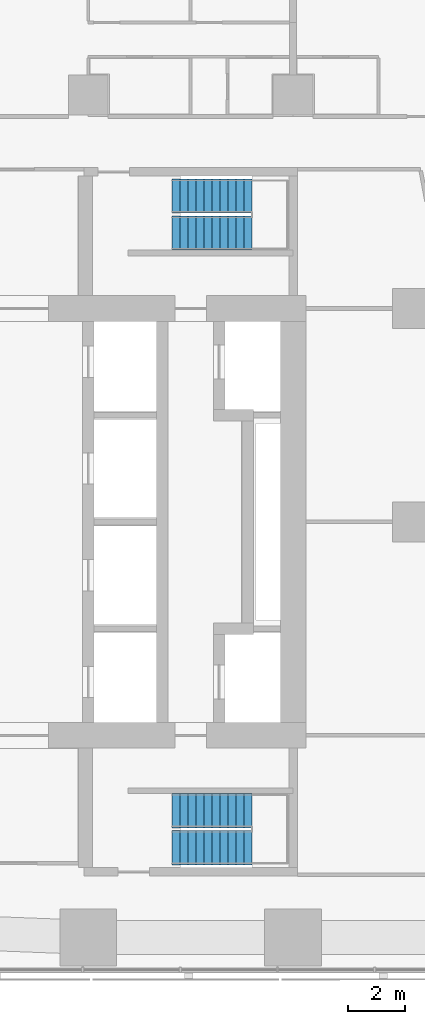
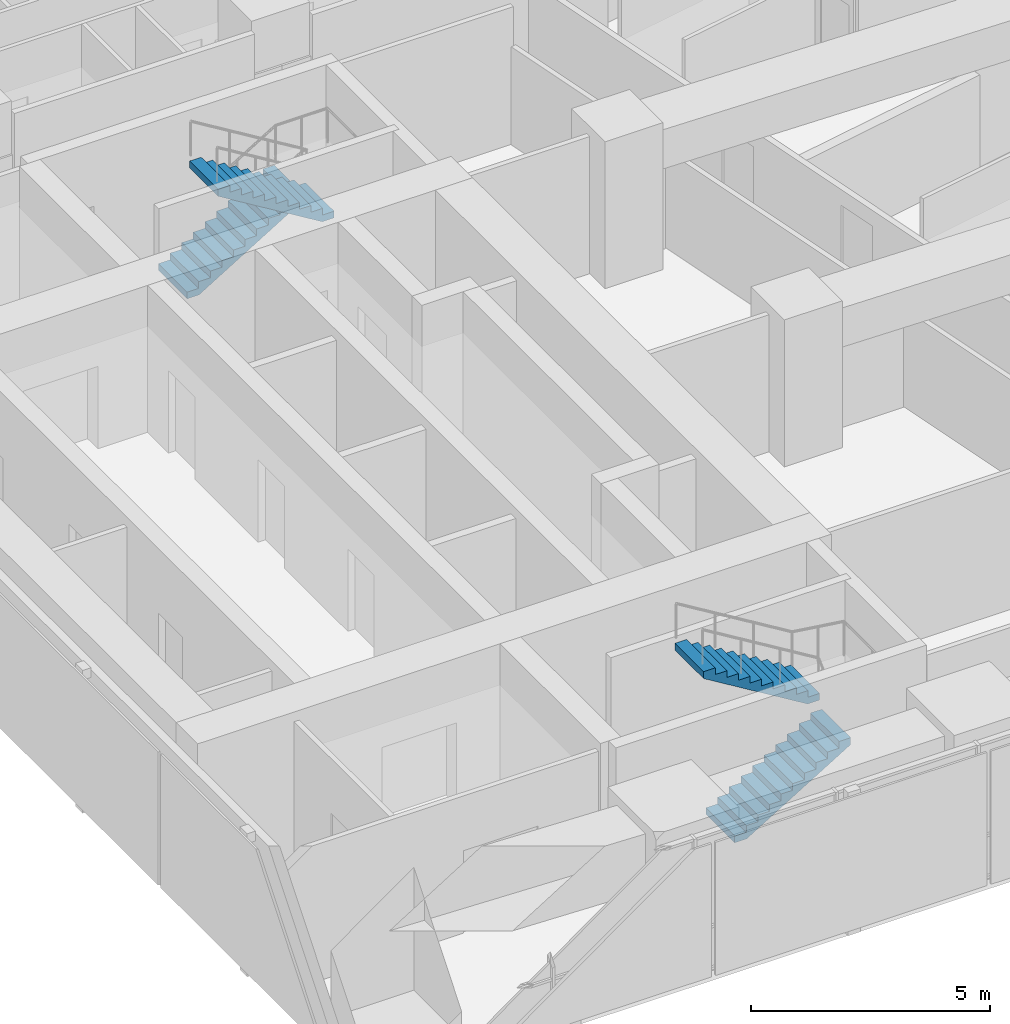
# One storey, part 10 of 11: 4 stair flights, 2 elements without a shape of their own.
"""IFC4 building model written with IfcOpenShell, lengths in metres."""

from ifc_helpers import new_model, si_unit, direction, frame, origin, place, context, subcontext, project, spatial, triangles, material, type_object, element, aggregate, save


model = new_model("IFC4")

# Units and contexts
model_context = context("Model", 3, precision=1e-05, world=origin(), true_north=direction((0.0, 1.0)))
body_context = subcontext(model_context, "Body", "Model", "MODEL_VIEW")
ifc_project = project(units=[si_unit("LENGTHUNIT", "METRE"), si_unit("AREAUNIT", "SQUARE_METRE"), si_unit("VOLUMEUNIT", "CUBIC_METRE"), si_unit("PLANEANGLEUNIT", "RADIAN"), si_unit("MASSUNIT", "GRAM", prefix="KILO")], contexts=[model_context])

# Site, building, storey
site_placement = place(None, origin())
site = spatial("IfcSite", under=ifc_project, at=site_placement, CompositionType="ELEMENT")
building_placement = place(site_placement, origin())
building = spatial("IfcBuilding", under=site, at=building_placement, Name="Sheger Commons Tower", CompositionType="ELEMENT")
storey_placement = place(building_placement, frame((0.0, 0.0, 281.60009765625)))
storey = spatial("IfcBuildingStorey", under=building, at=storey_placement, Name="L72", CompositionType="ELEMENT", Elevation=281.60009765625)

# Stair, stair flights
ifc_material_1 = material(Name="Concrete C35/45", Category="concrete")
stair_type = type_object("IfcStairType", Name="HALF-TURN STAIR 1200 RISE 3750", PredefinedType="HALF_TURN_STAIR", material=ifc_material_1)
stair_1_placement = place(storey_placement, origin())
stair_1 = element("IfcStair", 1, at=stair_1_placement, inside=storey, type_object=stair_type, Name="Stair S1 L72", PredefinedType="HALF_TURN_STAIR")
ifc_material_2 = material(Name="Concrete C35/45", Category="concrete")
stair_flight_type = type_object("IfcStairFlightType", Name="STAIR FLIGHT 1200 11 RISERS OF 170", PredefinedType="STRAIGHT", material=ifc_material_2)
stair_flight_1_placement = place(storey_placement, frame((24.550048828125, 11.050048828125, 0.0), z_axis=(0.0, 0.0, 1.0), x_axis=(1.0, 0.0, 0.0)))
stair_flight_1 = element("IfcStairFlight", 2, at=stair_flight_1_placement, type_object=stair_flight_type, Name="S1 flight 1", NumberOfRisers=11, NumberOfTreads=10, PredefinedType="STRAIGHT", RiserHeight=0.170454545, TreadLength=0.28, context=body_context, shape_type="Tessellation", body=[
    triangles([(0.0, 0.5999755859375, 0.0), (0.0, 0.5999755859375, 0.17041015625), (0.280029296875, 0.5999755859375, 0.17041015625), (0.280029296875, 0.5999755859375, 0.3408203125), (0.56005859375, 0.5999755859375, 0.3408203125), (0.56005859375, 0.5999755859375, 0.511474609375), (0.840087890625, 0.5999755859375, 0.511474609375), (0.840087890625, 0.5999755859375, 0.681884765625), (1.1201171875, 0.5999755859375, 0.681884765625), (1.1201171875, 0.5999755859375, 0.852294921875), (1.39990234375, 0.5999755859375, 0.852294921875), (1.39990234375, 0.5999755859375, 1.022705078125), (1.679931640625, 0.5999755859375, 1.022705078125), (1.679931640625, 0.5999755859375, 1.193115234375), (1.9599609375, 0.5999755859375, 1.193115234375), (1.9599609375, 0.5999755859375, 1.363525390625), (2.239990234375, 0.5999755859375, 1.363525390625), (2.239990234375, 0.5999755859375, 1.5341796875), (2.52001953125, 0.5999755859375, 1.5341796875), (2.52001953125, 0.5999755859375, 1.70458984375), (2.800048828125, 0.5999755859375, 1.70458984375), (2.800048828125, 0.5999755859375, 1.529052734375), (0.288330078125, 0.5999755859375, 0.0), (0.0, -0.5999755859375, 0.0), (0.0, -0.5999755859375, 0.17041015625), (0.280029296875, -0.5999755859375, 0.17041015625), (0.280029296875, -0.5999755859375, 0.3408203125), (0.56005859375, -0.5999755859375, 0.3408203125), (0.56005859375, -0.5999755859375, 0.511474609375), (0.840087890625, -0.5999755859375, 0.511474609375), (0.840087890625, -0.5999755859375, 0.681884765625), (1.1201171875, -0.5999755859375, 0.681884765625), (1.1201171875, -0.5999755859375, 0.852294921875), (1.39990234375, -0.5999755859375, 0.852294921875), (1.39990234375, -0.5999755859375, 1.022705078125), (1.679931640625, -0.5999755859375, 1.022705078125), (1.679931640625, -0.5999755859375, 1.193115234375), (1.9599609375, -0.5999755859375, 1.193115234375), (1.9599609375, -0.5999755859375, 1.363525390625), (2.239990234375, -0.5999755859375, 1.363525390625), (2.239990234375, -0.5999755859375, 1.5341796875), (2.52001953125, -0.5999755859375, 1.5341796875), (2.52001953125, -0.5999755859375, 1.70458984375), (2.800048828125, -0.5999755859375, 1.70458984375), (2.800048828125, -0.5999755859375, 1.529052734375), (0.288330078125, -0.5999755859375, 0.0), (0.0, 0.0, 0.085205078125), (0.1400146484375, 0.0, 0.17041015625), (0.280029296875, 0.0, 0.255615234375), (0.4200439453125, 0.0, 0.3408203125), (0.56005859375, 0.0, 0.4261474609375), (0.7000732421875, 0.0, 0.511474609375), (0.840087890625, 0.0, 0.5966796875), (0.9801025390625, 0.0, 0.681884765625), (1.1201171875, 0.0, 0.76708984375), (1.260009765625, 0.0, 0.852294921875), (1.39990234375, 0.0, 0.9375), (1.5399169921875, 0.0, 1.022705078125), (1.679931640625, 0.0, 1.10791015625), (1.8199462890625, 0.0, 1.193115234375), (1.9599609375, 0.0, 1.2783203125), (2.0999755859375, 0.0, 1.363525390625), (2.239990234375, 0.0, 1.4488525390625), (2.3800048828125, 0.0, 1.5341796875), (2.52001953125, 0.0, 1.619384765625), (2.6600341796875, 0.0, 1.70458984375), (2.800048828125, 0.0, 1.6168212890625), (1.544189453125, 0.0, 0.7645263671875), (0.1441650390625, 0.0, 0.0)], [[1, 22, 23], [24, 46, 45], [22, 20, 21], [45, 44, 43], [22, 19, 20], [45, 43, 42], [22, 18, 19], [45, 42, 41], [22, 17, 18], [45, 41, 40], [17, 15, 16], [40, 39, 38], [22, 15, 17], [45, 40, 38], [15, 13, 14], [38, 37, 36], [22, 13, 15], [45, 38, 36], [13, 11, 12], [36, 35, 34], [22, 11, 13], [45, 36, 34], [11, 9, 10], [34, 33, 32], [22, 9, 11], [45, 34, 32], [9, 7, 8], [32, 31, 30], [22, 7, 9], [45, 32, 30], [7, 5, 6], [30, 29, 28], [22, 5, 7], [45, 30, 28], [5, 3, 4], [28, 27, 26], [22, 3, 5], [45, 28, 26], [1, 3, 22], [24, 45, 26], [3, 1, 2], [26, 25, 24], [1, 47, 2], [2, 47, 25], [25, 47, 24], [24, 47, 1], [2, 48, 3], [3, 48, 26], [26, 48, 25], [25, 48, 2], [3, 49, 4], [4, 49, 27], [27, 49, 26], [26, 49, 3], [4, 50, 5], [5, 50, 28], [28, 50, 27], [27, 50, 4], [5, 51, 6], [6, 51, 29], [29, 51, 28], [28, 51, 5], [6, 52, 7], [7, 52, 30], [30, 52, 29], [29, 52, 6], [7, 53, 8], [8, 53, 31], [31, 53, 30], [30, 53, 7], [8, 54, 9], [9, 54, 32], [32, 54, 31], [31, 54, 8], [9, 55, 10], [10, 55, 33], [33, 55, 32], [32, 55, 9], [10, 56, 11], [11, 56, 34], [34, 56, 33], [33, 56, 10], [11, 57, 12], [12, 57, 35], [35, 57, 34], [34, 57, 11], [12, 58, 13], [13, 58, 36], [36, 58, 35], [35, 58, 12], [13, 59, 14], [14, 59, 37], [37, 59, 36], [36, 59, 13], [14, 60, 15], [15, 60, 38], [38, 60, 37], [37, 60, 14], [15, 61, 16], [16, 61, 39], [39, 61, 38], [38, 61, 15], [16, 62, 17], [17, 62, 40], [40, 62, 39], [39, 62, 16], [17, 63, 18], [18, 63, 41], [41, 63, 40], [40, 63, 17], [18, 64, 19], [19, 64, 42], [42, 64, 41], [41, 64, 18], [19, 65, 20], [20, 65, 43], [43, 65, 42], [42, 65, 19], [20, 66, 21], [21, 66, 44], [44, 66, 43], [43, 66, 20], [21, 67, 22], [22, 67, 45], [45, 67, 44], [44, 67, 21], [22, 68, 23], [23, 68, 46], [46, 68, 45], [45, 68, 22], [23, 69, 1], [1, 69, 24], [24, 69, 46], [46, 69, 23]], closed=True),
])
stair_flight_2_placement = place(storey_placement, frame((27.35009765625, 12.35009765625, 1.875), z_axis=(0.0, 0.0, 1.0), x_axis=(-1.0, 0.0, 0.0)))
stair_flight_2 = element("IfcStairFlight", 3, at=stair_flight_2_placement, type_object=stair_flight_type, Name="S1 flight 2", NumberOfRisers=11, NumberOfTreads=10, PredefinedType="STRAIGHT", RiserHeight=0.170454545, TreadLength=0.28, context=body_context, shape_type="Tessellation", body=[
    triangles([(0.0, 0.5999755859375, 0.0), (0.0, 0.5999755859375, 0.17041015625), (0.280029296875, 0.5999755859375, 0.17041015625), (0.280029296875, 0.5999755859375, 0.3408203125), (0.56005859375, 0.5999755859375, 0.3408203125), (0.56005859375, 0.5999755859375, 0.511474609375), (0.840087890625, 0.5999755859375, 0.511474609375), (0.840087890625, 0.5999755859375, 0.681884765625), (1.1201171875, 0.5999755859375, 0.681884765625), (1.1201171875, 0.5999755859375, 0.852294921875), (1.39990234375, 0.5999755859375, 0.852294921875), (1.39990234375, 0.5999755859375, 1.022705078125), (1.679931640625, 0.5999755859375, 1.022705078125), (1.679931640625, 0.5999755859375, 1.193115234375), (1.9599609375, 0.5999755859375, 1.193115234375), (1.9599609375, 0.5999755859375, 1.363525390625), (2.239990234375, 0.5999755859375, 1.363525390625), (2.239990234375, 0.5999755859375, 1.5341796875), (2.52001953125, 0.5999755859375, 1.5341796875), (2.52001953125, 0.5999755859375, 1.70458984375), (2.800048828125, 0.5999755859375, 1.70458984375), (2.800048828125, 0.5999755859375, 1.529052734375), (0.288330078125, 0.5999755859375, 0.0), (0.0, -0.5999755859375, 0.0), (0.0, -0.5999755859375, 0.17041015625), (0.280029296875, -0.5999755859375, 0.17041015625), (0.280029296875, -0.5999755859375, 0.3408203125), (0.56005859375, -0.5999755859375, 0.3408203125), (0.56005859375, -0.5999755859375, 0.511474609375), (0.840087890625, -0.5999755859375, 0.511474609375), (0.840087890625, -0.5999755859375, 0.681884765625), (1.1201171875, -0.5999755859375, 0.681884765625), (1.1201171875, -0.5999755859375, 0.852294921875), (1.39990234375, -0.5999755859375, 0.852294921875), (1.39990234375, -0.5999755859375, 1.022705078125), (1.679931640625, -0.5999755859375, 1.022705078125), (1.679931640625, -0.5999755859375, 1.193115234375), (1.9599609375, -0.5999755859375, 1.193115234375), (1.9599609375, -0.5999755859375, 1.363525390625), (2.239990234375, -0.5999755859375, 1.363525390625), (2.239990234375, -0.5999755859375, 1.5341796875), (2.52001953125, -0.5999755859375, 1.5341796875), (2.52001953125, -0.5999755859375, 1.70458984375), (2.800048828125, -0.5999755859375, 1.70458984375), (2.800048828125, -0.5999755859375, 1.529052734375), (0.288330078125, -0.5999755859375, 0.0), (0.0, 0.0, 0.085205078125), (0.1400146484375, 0.0, 0.17041015625), (0.280029296875, 0.0, 0.255615234375), (0.4200439453125, 0.0, 0.3408203125), (0.56005859375, 0.0, 0.4261474609375), (0.7000732421875, 0.0, 0.511474609375), (0.840087890625, 0.0, 0.5966796875), (0.9801025390625, 0.0, 0.681884765625), (1.1201171875, 0.0, 0.76708984375), (1.260009765625, 0.0, 0.852294921875), (1.39990234375, 0.0, 0.9375), (1.5399169921875, 0.0, 1.022705078125), (1.679931640625, 0.0, 1.10791015625), (1.8199462890625, 0.0, 1.193115234375), (1.9599609375, 0.0, 1.2783203125), (2.0999755859375, 0.0, 1.363525390625), (2.239990234375, 0.0, 1.4488525390625), (2.3800048828125, 0.0, 1.5341796875), (2.52001953125, 0.0, 1.619384765625), (2.6600341796875, 0.0, 1.70458984375), (2.800048828125, 0.0, 1.6168212890625), (1.544189453125, 0.0, 0.7645263671875), (0.1441650390625, 0.0, 0.0)], [[1, 22, 23], [24, 46, 45], [22, 20, 21], [45, 44, 43], [22, 19, 20], [45, 43, 42], [22, 18, 19], [45, 42, 41], [22, 17, 18], [45, 41, 40], [17, 15, 16], [40, 39, 38], [22, 15, 17], [45, 40, 38], [15, 13, 14], [38, 37, 36], [22, 13, 15], [45, 38, 36], [13, 11, 12], [36, 35, 34], [22, 11, 13], [45, 36, 34], [11, 9, 10], [34, 33, 32], [22, 9, 11], [45, 34, 32], [9, 7, 8], [32, 31, 30], [22, 7, 9], [45, 32, 30], [7, 5, 6], [30, 29, 28], [22, 5, 7], [45, 30, 28], [5, 3, 4], [28, 27, 26], [22, 3, 5], [45, 28, 26], [1, 3, 22], [24, 45, 26], [3, 1, 2], [26, 25, 24], [1, 47, 2], [2, 47, 25], [25, 47, 24], [24, 47, 1], [2, 48, 3], [3, 48, 26], [26, 48, 25], [25, 48, 2], [3, 49, 4], [4, 49, 27], [27, 49, 26], [26, 49, 3], [4, 50, 5], [5, 50, 28], [28, 50, 27], [27, 50, 4], [5, 51, 6], [6, 51, 29], [29, 51, 28], [28, 51, 5], [6, 52, 7], [7, 52, 30], [30, 52, 29], [29, 52, 6], [7, 53, 8], [8, 53, 31], [31, 53, 30], [30, 53, 7], [8, 54, 9], [9, 54, 32], [32, 54, 31], [31, 54, 8], [9, 55, 10], [10, 55, 33], [33, 55, 32], [32, 55, 9], [10, 56, 11], [11, 56, 34], [34, 56, 33], [33, 56, 10], [11, 57, 12], [12, 57, 35], [35, 57, 34], [34, 57, 11], [12, 58, 13], [13, 58, 36], [36, 58, 35], [35, 58, 12], [13, 59, 14], [14, 59, 37], [37, 59, 36], [36, 59, 13], [14, 60, 15], [15, 60, 38], [38, 60, 37], [37, 60, 14], [15, 61, 16], [16, 61, 39], [39, 61, 38], [38, 61, 15], [16, 62, 17], [17, 62, 40], [40, 62, 39], [39, 62, 16], [17, 63, 18], [18, 63, 41], [41, 63, 40], [40, 63, 17], [18, 64, 19], [19, 64, 42], [42, 64, 41], [41, 64, 18], [19, 65, 20], [20, 65, 43], [43, 65, 42], [42, 65, 19], [20, 66, 21], [21, 66, 44], [44, 66, 43], [43, 66, 20], [21, 67, 22], [22, 67, 45], [45, 67, 44], [44, 67, 21], [22, 68, 23], [23, 68, 46], [46, 68, 45], [45, 68, 22], [23, 69, 1], [1, 69, 24], [24, 69, 46], [46, 69, 23]], closed=True),
])
aggregate(stair_1, [stair_flight_1, stair_flight_2])

stair_2_placement = place(storey_placement, origin())
stair_2 = element("IfcStair", 4, at=stair_2_placement, inside=storey, type_object=stair_type, Name="Stair S2 L72", PredefinedType="HALF_TURN_STAIR")
stair_flight_3_placement = place(storey_placement, frame((24.550048828125, 33.949951171875, 0.0), z_axis=(0.0, 0.0, 1.0), x_axis=(1.0, 0.0, 0.0)))
stair_flight_3 = element("IfcStairFlight", 5, at=stair_flight_3_placement, type_object=stair_flight_type, Name="S2 flight 1", NumberOfRisers=11, NumberOfTreads=10, PredefinedType="STRAIGHT", RiserHeight=0.170454545, TreadLength=0.28, context=body_context, shape_type="Tessellation", body=[
    triangles([(0.0, 0.5999755859375, 0.0), (0.0, 0.5999755859375, 0.17041015625), (0.280029296875, 0.5999755859375, 0.17041015625), (0.280029296875, 0.5999755859375, 0.3408203125), (0.56005859375, 0.5999755859375, 0.3408203125), (0.56005859375, 0.5999755859375, 0.511474609375), (0.840087890625, 0.5999755859375, 0.511474609375), (0.840087890625, 0.5999755859375, 0.681884765625), (1.1201171875, 0.5999755859375, 0.681884765625), (1.1201171875, 0.5999755859375, 0.852294921875), (1.39990234375, 0.5999755859375, 0.852294921875), (1.39990234375, 0.5999755859375, 1.022705078125), (1.679931640625, 0.5999755859375, 1.022705078125), (1.679931640625, 0.5999755859375, 1.193115234375), (1.9599609375, 0.5999755859375, 1.193115234375), (1.9599609375, 0.5999755859375, 1.363525390625), (2.239990234375, 0.5999755859375, 1.363525390625), (2.239990234375, 0.5999755859375, 1.5341796875), (2.52001953125, 0.5999755859375, 1.5341796875), (2.52001953125, 0.5999755859375, 1.70458984375), (2.800048828125, 0.5999755859375, 1.70458984375), (2.800048828125, 0.5999755859375, 1.529052734375), (0.288330078125, 0.5999755859375, 0.0), (0.0, -0.5999755859375, 0.0), (0.0, -0.5999755859375, 0.17041015625), (0.280029296875, -0.5999755859375, 0.17041015625), (0.280029296875, -0.5999755859375, 0.3408203125), (0.56005859375, -0.5999755859375, 0.3408203125), (0.56005859375, -0.5999755859375, 0.511474609375), (0.840087890625, -0.5999755859375, 0.511474609375), (0.840087890625, -0.5999755859375, 0.681884765625), (1.1201171875, -0.5999755859375, 0.681884765625), (1.1201171875, -0.5999755859375, 0.852294921875), (1.39990234375, -0.5999755859375, 0.852294921875), (1.39990234375, -0.5999755859375, 1.022705078125), (1.679931640625, -0.5999755859375, 1.022705078125), (1.679931640625, -0.5999755859375, 1.193115234375), (1.9599609375, -0.5999755859375, 1.193115234375), (1.9599609375, -0.5999755859375, 1.363525390625), (2.239990234375, -0.5999755859375, 1.363525390625), (2.239990234375, -0.5999755859375, 1.5341796875), (2.52001953125, -0.5999755859375, 1.5341796875), (2.52001953125, -0.5999755859375, 1.70458984375), (2.800048828125, -0.5999755859375, 1.70458984375), (2.800048828125, -0.5999755859375, 1.529052734375), (0.288330078125, -0.5999755859375, 0.0), (0.0, 0.0, 0.085205078125), (0.1400146484375, 0.0, 0.17041015625), (0.280029296875, 0.0, 0.255615234375), (0.4200439453125, 0.0, 0.3408203125), (0.56005859375, 0.0, 0.4261474609375), (0.7000732421875, 0.0, 0.511474609375), (0.840087890625, 0.0, 0.5966796875), (0.9801025390625, 0.0, 0.681884765625), (1.1201171875, 0.0, 0.76708984375), (1.260009765625, 0.0, 0.852294921875), (1.39990234375, 0.0, 0.9375), (1.5399169921875, 0.0, 1.022705078125), (1.679931640625, 0.0, 1.10791015625), (1.8199462890625, 0.0, 1.193115234375), (1.9599609375, 0.0, 1.2783203125), (2.0999755859375, 0.0, 1.363525390625), (2.239990234375, 0.0, 1.4488525390625), (2.3800048828125, 0.0, 1.5341796875), (2.52001953125, 0.0, 1.619384765625), (2.6600341796875, 0.0, 1.70458984375), (2.800048828125, 0.0, 1.6168212890625), (1.544189453125, 0.0, 0.7645263671875), (0.1441650390625, 0.0, 0.0)], [[1, 22, 23], [24, 46, 45], [22, 20, 21], [45, 44, 43], [22, 19, 20], [45, 43, 42], [22, 18, 19], [45, 42, 41], [22, 17, 18], [45, 41, 40], [17, 15, 16], [40, 39, 38], [22, 15, 17], [45, 40, 38], [15, 13, 14], [38, 37, 36], [22, 13, 15], [45, 38, 36], [13, 11, 12], [36, 35, 34], [22, 11, 13], [45, 36, 34], [11, 9, 10], [34, 33, 32], [22, 9, 11], [45, 34, 32], [9, 7, 8], [32, 31, 30], [22, 7, 9], [45, 32, 30], [7, 5, 6], [30, 29, 28], [22, 5, 7], [45, 30, 28], [5, 3, 4], [28, 27, 26], [22, 3, 5], [45, 28, 26], [1, 3, 22], [24, 45, 26], [3, 1, 2], [26, 25, 24], [1, 47, 2], [2, 47, 25], [25, 47, 24], [24, 47, 1], [2, 48, 3], [3, 48, 26], [26, 48, 25], [25, 48, 2], [3, 49, 4], [4, 49, 27], [27, 49, 26], [26, 49, 3], [4, 50, 5], [5, 50, 28], [28, 50, 27], [27, 50, 4], [5, 51, 6], [6, 51, 29], [29, 51, 28], [28, 51, 5], [6, 52, 7], [7, 52, 30], [30, 52, 29], [29, 52, 6], [7, 53, 8], [8, 53, 31], [31, 53, 30], [30, 53, 7], [8, 54, 9], [9, 54, 32], [32, 54, 31], [31, 54, 8], [9, 55, 10], [10, 55, 33], [33, 55, 32], [32, 55, 9], [10, 56, 11], [11, 56, 34], [34, 56, 33], [33, 56, 10], [11, 57, 12], [12, 57, 35], [35, 57, 34], [34, 57, 11], [12, 58, 13], [13, 58, 36], [36, 58, 35], [35, 58, 12], [13, 59, 14], [14, 59, 37], [37, 59, 36], [36, 59, 13], [14, 60, 15], [15, 60, 38], [38, 60, 37], [37, 60, 14], [15, 61, 16], [16, 61, 39], [39, 61, 38], [38, 61, 15], [16, 62, 17], [17, 62, 40], [40, 62, 39], [39, 62, 16], [17, 63, 18], [18, 63, 41], [41, 63, 40], [40, 63, 17], [18, 64, 19], [19, 64, 42], [42, 64, 41], [41, 64, 18], [19, 65, 20], [20, 65, 43], [43, 65, 42], [42, 65, 19], [20, 66, 21], [21, 66, 44], [44, 66, 43], [43, 66, 20], [21, 67, 22], [22, 67, 45], [45, 67, 44], [44, 67, 21], [22, 68, 23], [23, 68, 46], [46, 68, 45], [45, 68, 22], [23, 69, 1], [1, 69, 24], [24, 69, 46], [46, 69, 23]], closed=True),
])
stair_flight_4_placement = place(storey_placement, frame((27.35009765625, 32.64990234375, 1.875), z_axis=(0.0, 0.0, 1.0), x_axis=(-1.0, 0.0, 0.0)))
stair_flight_4 = element("IfcStairFlight", 6, at=stair_flight_4_placement, type_object=stair_flight_type, Name="S2 flight 2", NumberOfRisers=11, NumberOfTreads=10, PredefinedType="STRAIGHT", RiserHeight=0.170454545, TreadLength=0.28, context=body_context, shape_type="Tessellation", body=[
    triangles([(0.0, 0.5999755859375, 0.0), (0.0, 0.5999755859375, 0.17041015625), (0.280029296875, 0.5999755859375, 0.17041015625), (0.280029296875, 0.5999755859375, 0.3408203125), (0.56005859375, 0.5999755859375, 0.3408203125), (0.56005859375, 0.5999755859375, 0.511474609375), (0.840087890625, 0.5999755859375, 0.511474609375), (0.840087890625, 0.5999755859375, 0.681884765625), (1.1201171875, 0.5999755859375, 0.681884765625), (1.1201171875, 0.5999755859375, 0.852294921875), (1.39990234375, 0.5999755859375, 0.852294921875), (1.39990234375, 0.5999755859375, 1.022705078125), (1.679931640625, 0.5999755859375, 1.022705078125), (1.679931640625, 0.5999755859375, 1.193115234375), (1.9599609375, 0.5999755859375, 1.193115234375), (1.9599609375, 0.5999755859375, 1.363525390625), (2.239990234375, 0.5999755859375, 1.363525390625), (2.239990234375, 0.5999755859375, 1.5341796875), (2.52001953125, 0.5999755859375, 1.5341796875), (2.52001953125, 0.5999755859375, 1.70458984375), (2.800048828125, 0.5999755859375, 1.70458984375), (2.800048828125, 0.5999755859375, 1.529052734375), (0.288330078125, 0.5999755859375, 0.0), (0.0, -0.5999755859375, 0.0), (0.0, -0.5999755859375, 0.17041015625), (0.280029296875, -0.5999755859375, 0.17041015625), (0.280029296875, -0.5999755859375, 0.3408203125), (0.56005859375, -0.5999755859375, 0.3408203125), (0.56005859375, -0.5999755859375, 0.511474609375), (0.840087890625, -0.5999755859375, 0.511474609375), (0.840087890625, -0.5999755859375, 0.681884765625), (1.1201171875, -0.5999755859375, 0.681884765625), (1.1201171875, -0.5999755859375, 0.852294921875), (1.39990234375, -0.5999755859375, 0.852294921875), (1.39990234375, -0.5999755859375, 1.022705078125), (1.679931640625, -0.5999755859375, 1.022705078125), (1.679931640625, -0.5999755859375, 1.193115234375), (1.9599609375, -0.5999755859375, 1.193115234375), (1.9599609375, -0.5999755859375, 1.363525390625), (2.239990234375, -0.5999755859375, 1.363525390625), (2.239990234375, -0.5999755859375, 1.5341796875), (2.52001953125, -0.5999755859375, 1.5341796875), (2.52001953125, -0.5999755859375, 1.70458984375), (2.800048828125, -0.5999755859375, 1.70458984375), (2.800048828125, -0.5999755859375, 1.529052734375), (0.288330078125, -0.5999755859375, 0.0), (0.0, 0.0, 0.085205078125), (0.1400146484375, 0.0, 0.17041015625), (0.280029296875, 0.0, 0.255615234375), (0.4200439453125, 0.0, 0.3408203125), (0.56005859375, 0.0, 0.4261474609375), (0.7000732421875, 0.0, 0.511474609375), (0.840087890625, 0.0, 0.5966796875), (0.9801025390625, 0.0, 0.681884765625), (1.1201171875, 0.0, 0.76708984375), (1.260009765625, 0.0, 0.852294921875), (1.39990234375, 0.0, 0.9375), (1.5399169921875, 0.0, 1.022705078125), (1.679931640625, 0.0, 1.10791015625), (1.8199462890625, 0.0, 1.193115234375), (1.9599609375, 0.0, 1.2783203125), (2.0999755859375, 0.0, 1.363525390625), (2.239990234375, 0.0, 1.4488525390625), (2.3800048828125, 0.0, 1.5341796875), (2.52001953125, 0.0, 1.619384765625), (2.6600341796875, 0.0, 1.70458984375), (2.800048828125, 0.0, 1.6168212890625), (1.544189453125, 0.0, 0.7645263671875), (0.1441650390625, 0.0, 0.0)], [[1, 22, 23], [24, 46, 45], [22, 20, 21], [45, 44, 43], [22, 19, 20], [45, 43, 42], [22, 18, 19], [45, 42, 41], [22, 17, 18], [45, 41, 40], [17, 15, 16], [40, 39, 38], [22, 15, 17], [45, 40, 38], [15, 13, 14], [38, 37, 36], [22, 13, 15], [45, 38, 36], [13, 11, 12], [36, 35, 34], [22, 11, 13], [45, 36, 34], [11, 9, 10], [34, 33, 32], [22, 9, 11], [45, 34, 32], [9, 7, 8], [32, 31, 30], [22, 7, 9], [45, 32, 30], [7, 5, 6], [30, 29, 28], [22, 5, 7], [45, 30, 28], [5, 3, 4], [28, 27, 26], [22, 3, 5], [45, 28, 26], [1, 3, 22], [24, 45, 26], [3, 1, 2], [26, 25, 24], [1, 47, 2], [2, 47, 25], [25, 47, 24], [24, 47, 1], [2, 48, 3], [3, 48, 26], [26, 48, 25], [25, 48, 2], [3, 49, 4], [4, 49, 27], [27, 49, 26], [26, 49, 3], [4, 50, 5], [5, 50, 28], [28, 50, 27], [27, 50, 4], [5, 51, 6], [6, 51, 29], [29, 51, 28], [28, 51, 5], [6, 52, 7], [7, 52, 30], [30, 52, 29], [29, 52, 6], [7, 53, 8], [8, 53, 31], [31, 53, 30], [30, 53, 7], [8, 54, 9], [9, 54, 32], [32, 54, 31], [31, 54, 8], [9, 55, 10], [10, 55, 33], [33, 55, 32], [32, 55, 9], [10, 56, 11], [11, 56, 34], [34, 56, 33], [33, 56, 10], [11, 57, 12], [12, 57, 35], [35, 57, 34], [34, 57, 11], [12, 58, 13], [13, 58, 36], [36, 58, 35], [35, 58, 12], [13, 59, 14], [14, 59, 37], [37, 59, 36], [36, 59, 13], [14, 60, 15], [15, 60, 38], [38, 60, 37], [37, 60, 14], [15, 61, 16], [16, 61, 39], [39, 61, 38], [38, 61, 15], [16, 62, 17], [17, 62, 40], [40, 62, 39], [39, 62, 16], [17, 63, 18], [18, 63, 41], [41, 63, 40], [40, 63, 17], [18, 64, 19], [19, 64, 42], [42, 64, 41], [41, 64, 18], [19, 65, 20], [20, 65, 43], [43, 65, 42], [42, 65, 19], [20, 66, 21], [21, 66, 44], [44, 66, 43], [43, 66, 20], [21, 67, 22], [22, 67, 45], [45, 67, 44], [44, 67, 21], [22, 68, 23], [23, 68, 46], [46, 68, 45], [45, 68, 22], [23, 69, 1], [1, 69, 24], [24, 69, 46], [46, 69, 23]], closed=True),
])
aggregate(stair_2, [stair_flight_3, stair_flight_4])

save(model, "model.ifc")
